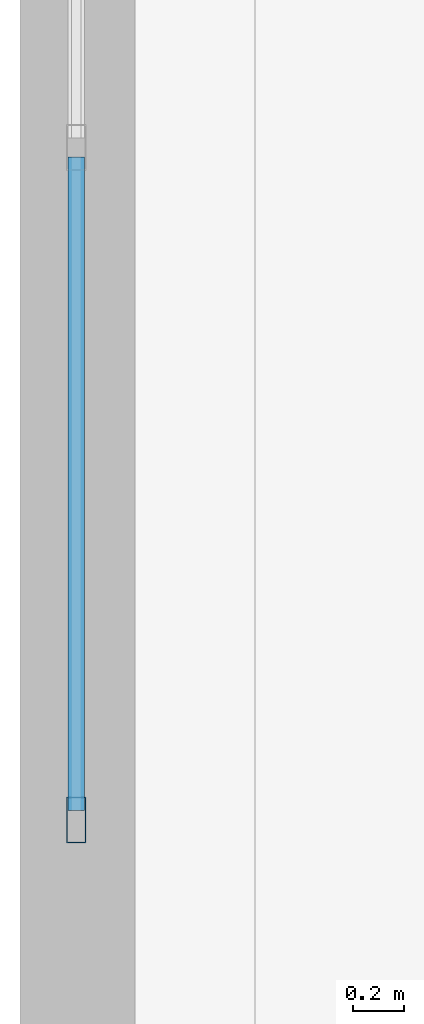
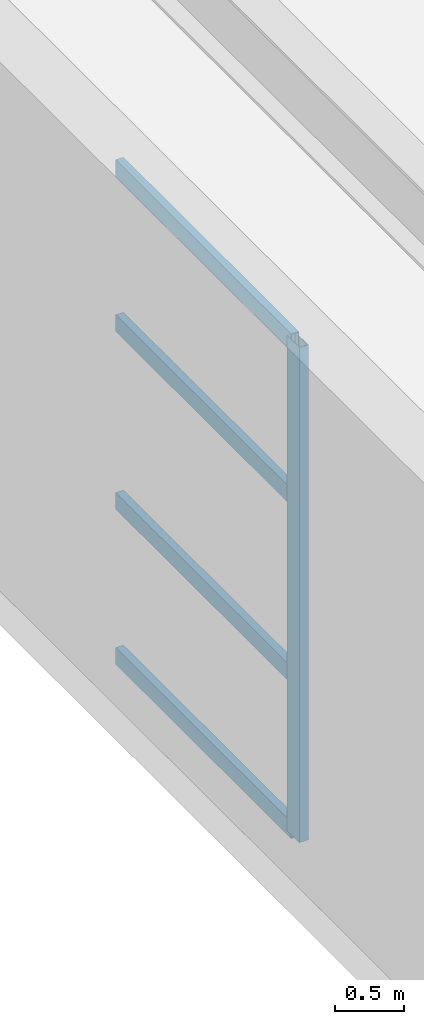
# One storey, part 4 of 35: 5 members, 1 element without a shape of its own.
"""IFC4 building model written with IfcOpenShell, lengths in metres."""

from ifc_helpers import new_model, si_unit, direction, frame, origin, origin_2d, place, context, subcontext, project, spatial, hollow_rectangle, extrude, material, layer, layer_set, material_profile, profile_set, type_object, element, aggregate, save


model = new_model("IFC4")

# Units and contexts
model_context = context("Model", 3, precision=1e-05, world=origin(), true_north=direction((0.0, 1.0)))
body_context = subcontext(model_context, "Body", "Model", "MODEL_VIEW")
ifc_project = project(units=[si_unit("LENGTHUNIT", "METRE"), si_unit("AREAUNIT", "SQUARE_METRE"), si_unit("VOLUMEUNIT", "CUBIC_METRE"), si_unit("PLANEANGLEUNIT", "RADIAN"), si_unit("MASSUNIT", "GRAM", prefix="KILO")], contexts=[model_context])

# Site, building, storey
site_placement = place(None, origin())
site = spatial("IfcSite", under=ifc_project, at=site_placement, CompositionType="ELEMENT")
building_placement = place(site_placement, origin())
building = spatial("IfcBuilding", under=site, at=building_placement, Name="Qiaolan Cultural Towers", CompositionType="ELEMENT")
storey_placement = place(building_placement, frame((0.0, 0.0, 11.5)))
storey = spatial("IfcBuildingStorey", under=building, at=storey_placement, Name="L02", CompositionType="ELEMENT", Elevation=11.5)

# Curtain wall, members
ifc_material_1 = material(Name="Unitized Anodized Aluminium Curtain Wall System", Category="aluminium")
ifc_layer = layer(ifc_material_1, 0.199951171875)
ifc_layer_set = layer_set([ifc_layer], Name="Unitized Anodized Aluminium Curtain Wall System")
curtain_wall_type = type_object("IfcCurtainWallType", Name="CWS-04", PredefinedType="NOTDEFINED", material=ifc_layer_set)
curtain_wall_placement = place(storey_placement, origin())
curtain_wall = element("IfcCurtainWall", 1, at=curtain_wall_placement, inside=storey, type_object=curtain_wall_type, Name="L02 West Exhibition Foyer Curtain Wall", PredefinedType="NOTDEFINED")
ifc_material_2 = material(Name="Extruded Aluminium 6063-T6", Category="aluminium")
ifc_material_profile_1 = material_profile(ifc_material_2, hollow_rectangle(XDim=0.074951171875, YDim=0.179931640625, WallThickness=0.00390625, at=origin_2d()), Name="CWM-180x75x4")
ifc_profile_set_1 = profile_set([ifc_material_profile_1], Name="Extruded Aluminium 6063-T6")
member_type_1 = type_object("IfcMemberType", Name="CWS-04-MUL", PredefinedType="MULLION", material=ifc_profile_set_1)
member_1_placement = place(storey_placement, frame((0.219970703125, 30.03759765625, 0.14990234375), z_axis=(0.0, 0.0, 1.0), x_axis=(-1.0, 0.0, 0.0)))
member_1 = element("IfcMember", 2, at=member_1_placement, type_object=member_type_1, Name="CW-4 mullion 1", PredefinedType="MULLION", context=body_context, shape_type="SweptSolid", body=[
    extrude(hollow_rectangle(XDim=0.074951171875, YDim=0.179931640625, WallThickness=0.00390625, at=origin_2d()), origin(), (0.0, 0.0, 1.0), 4.400146484375),
])
ifc_material_3 = material(Name="Extruded Aluminium 6063-T6", Category="aluminium")
ifc_material_profile_2 = material_profile(ifc_material_3, hollow_rectangle(XDim=0.06494140625, YDim=0.14990234375, WallThickness=0.00390625, at=origin_2d()), Name="CWT-150x65x4")
ifc_profile_set_2 = profile_set([ifc_material_profile_2], Name="Extruded Aluminium 6063-T6")
member_type_2 = type_object("IfcMemberType", Name="CWS-04-TRN", PredefinedType="USERDEFINED", material=ifc_profile_set_2)
member_2_placement = place(storey_placement, frame((0.219970703125, 30.074951171875, 0.1826171875), z_axis=(0.0, 1.0, 0.0), x_axis=(-1.0, 0.0, 0.0)))
member_2 = element("IfcMember", 3, at=member_2_placement, type_object=member_type_2, Name="CW-4 transom 1.1", ObjectType="TRANSOM", PredefinedType="USERDEFINED", context=body_context, shape_type="SweptSolid", body=[
    extrude(hollow_rectangle(XDim=0.06494140625, YDim=0.14990234375, WallThickness=0.00390625, at=origin_2d()), origin(), (0.0, 0.0, 1.0), 2.55419921875),
])
member_3_placement = place(storey_placement, frame((0.219970703125, 30.074951171875, 1.56005859375), z_axis=(0.0, 1.0, 0.0), x_axis=(-1.0, 0.0, 0.0)))
member_3 = element("IfcMember", 4, at=member_3_placement, type_object=member_type_2, Name="CW-4 transom 1.2", ObjectType="TRANSOM", PredefinedType="USERDEFINED", context=body_context, shape_type="SweptSolid", body=[
    extrude(hollow_rectangle(XDim=0.06494140625, YDim=0.14990234375, WallThickness=0.00390625, at=origin_2d()), origin(), (0.0, 0.0, 1.0), 2.55419921875),
])
member_4_placement = place(storey_placement, frame((0.219970703125, 30.074951171875, 3.139892578125), z_axis=(0.0, 1.0, 0.0), x_axis=(-1.0, 0.0, 0.0)))
member_4 = element("IfcMember", 5, at=member_4_placement, type_object=member_type_2, Name="CW-4 transom 1.3", ObjectType="TRANSOM", PredefinedType="USERDEFINED", context=body_context, shape_type="SweptSolid", body=[
    extrude(hollow_rectangle(XDim=0.06494140625, YDim=0.14990234375, WallThickness=0.00390625, at=origin_2d()), origin(), (0.0, 0.0, 1.0), 2.55419921875),
])
member_5_placement = place(storey_placement, frame((0.219970703125, 30.074951171875, 4.517578125), z_axis=(0.0, 1.0, 0.0), x_axis=(-1.0, 0.0, 0.0)))
member_5 = element("IfcMember", 6, at=member_5_placement, type_object=member_type_2, Name="CW-4 transom 1.4", ObjectType="TRANSOM", PredefinedType="USERDEFINED", context=body_context, shape_type="SweptSolid", body=[
    extrude(hollow_rectangle(XDim=0.06494140625, YDim=0.14990234375, WallThickness=0.00390625, at=origin_2d()), origin(), (0.0, 0.0, 1.0), 2.55419921875),
])
aggregate(curtain_wall, [member_1, member_2, member_3, member_4, member_5])

save(model, "model.ifc")
